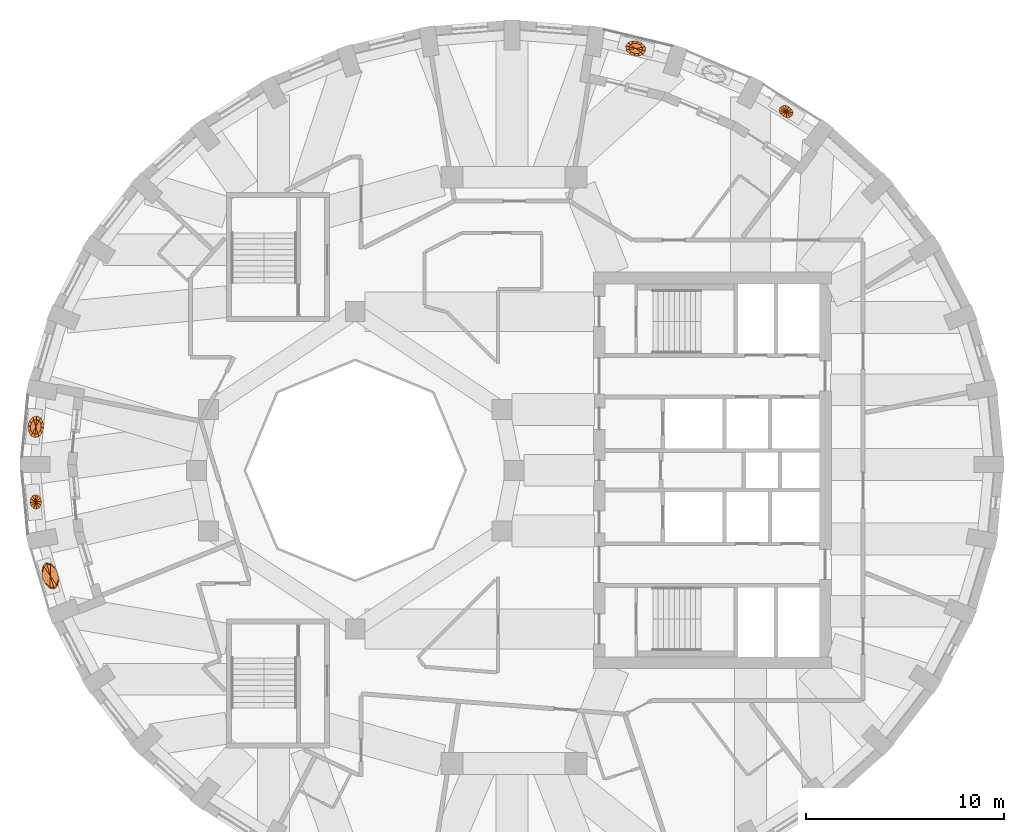
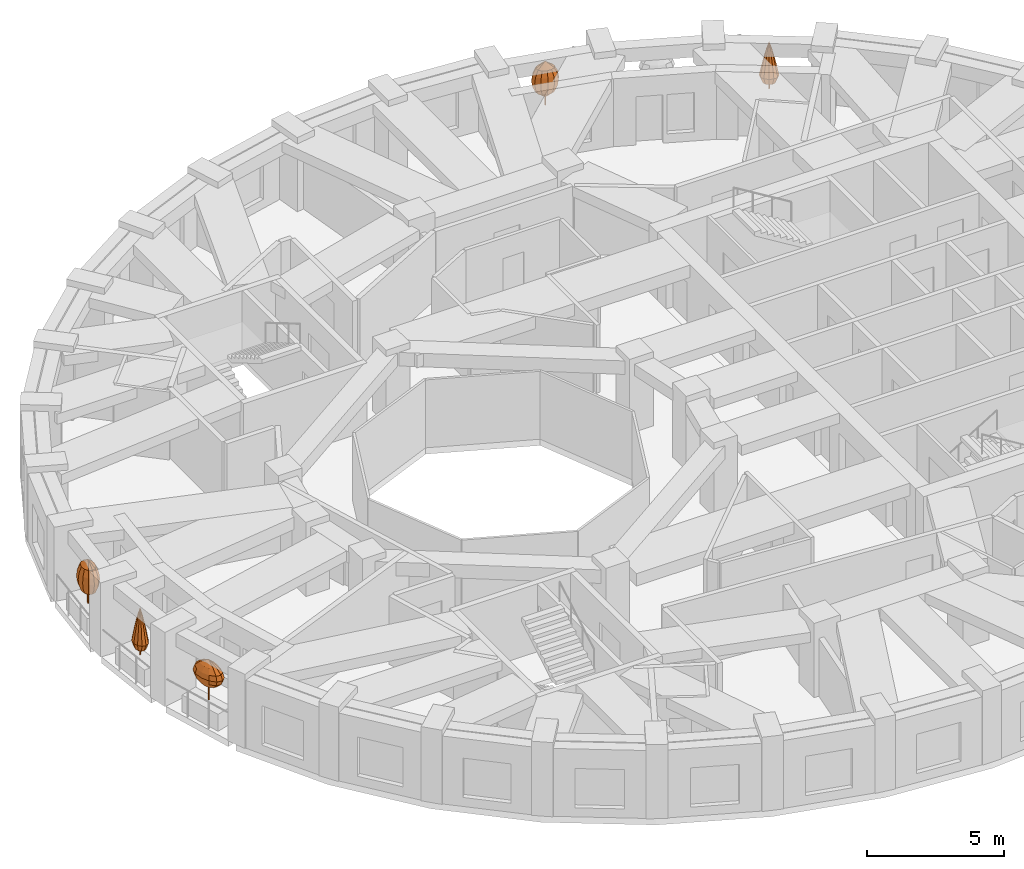
# One storey, part 11 of 12: 5 geographic elements.
"""IFC4 building model written with IfcOpenShell, lengths in metres."""

from ifc_helpers import new_model, si_unit, direction, frame, origin, place, context, subcontext, project, spatial, faceted_brep, material, constituent, constituent_set, type_object, element, save


model = new_model("IFC4")

# Units and contexts
model_context = context("Model", 3, precision=1e-05, world=origin(), true_north=direction((0.0, 1.0)))
body_context = subcontext(model_context, "Body", "Model", "MODEL_VIEW")
ifc_project = project(units=[si_unit("LENGTHUNIT", "METRE"), si_unit("AREAUNIT", "SQUARE_METRE"), si_unit("VOLUMEUNIT", "CUBIC_METRE"), si_unit("PLANEANGLEUNIT", "RADIAN"), si_unit("MASSUNIT", "GRAM", prefix="KILO")], contexts=[model_context])

# Site, building, storey
site_placement = place(None, origin())
site = spatial("IfcSite", under=ifc_project, at=site_placement, CompositionType="ELEMENT")
building_placement = place(site_placement, origin())
building = spatial("IfcBuilding", under=site, at=building_placement, Name="Taillehof Tower", CompositionType="ELEMENT")
storey_placement = place(building_placement, frame((0.0, 0.0, 236.60009765625)))
storey = spatial("IfcBuildingStorey", under=building, at=storey_placement, Name="L67", CompositionType="ELEMENT", Elevation=236.60009765625)

# Geographic elements
ifc_material_1 = material(Name="Tree bark", Category="timber")
ifc_constituent_1 = constituent(ifc_material_1, Name="Trunk", Category="timber")
ifc_material_2 = material(Name="Tree foliage")
ifc_constituent_2 = constituent(ifc_material_2, Name="Crown")
ifc_constituent_set_1 = constituent_set(constituents=[ifc_constituent_1, ifc_constituent_2], Name="Tree TR2 Fastigiate yew")
geographic_element_type_1 = type_object("IfcGeographicElementType", Name="Tree TR2 Fastigiate yew", PredefinedType="USERDEFINED", material=ifc_constituent_set_1)
geographic_element_1_placement = place(storey_placement, frame((-24.103271484375, 2.192626953125, 0.75)))
element("IfcGeographicElement", 1, at=geographic_element_1_placement, inside=storey, type_object=geographic_element_type_1, Name="Tree TR2 Fastigiate yew", ObjectType="TREE", PredefinedType="USERDEFINED", context=body_context, shape_type="Brep", body=[
    faceted_brep([(0.034912109375, 0.0, 0.0), (0.024658203125, 0.024658203125, 0.0), (0.024658203125, 0.024658203125, 0.909912109375), (0.034912109375, 0.0, 0.909912109375), (0.0, 0.034912109375, 0.0), (0.0, 0.034912109375, 0.909912109375), (-0.024658203125, 0.024658203125, 0.0), (-0.024658203125, 0.024658203125, 0.909912109375), (-0.034912109375, 0.0, 0.0), (-0.034912109375, 0.0, 0.909912109375), (-0.024658203125, -0.024658203125, 0.0), (-0.024658203125, -0.024658203125, 0.909912109375), (0.0, -0.034912109375, 0.0), (0.0, -0.034912109375, 0.909912109375), (0.024658203125, -0.024658203125, 0.0), (0.024658203125, -0.024658203125, 0.909912109375)], [[[0, 1, 2, 3]], [[1, 4, 5, 2]], [[4, 6, 7, 5]], [[6, 8, 9, 7]], [[8, 10, 11, 9]], [[10, 12, 13, 11]], [[12, 14, 15, 13]], [[14, 0, 3, 15]], [[14, 12, 10, 8, 6, 4, 1, 0]], [[3, 2, 5, 7, 9, 11, 13, 15]]]),
    faceted_brep([(0.0, 0.0, 0.35009765625), (0.1044921875, -0.3369140625, 0.61669921875), (-0.036376953125, -0.373779296875, 0.61669921875), (0.21728515625, -0.209716796875, 0.61669921875), (0.27197265625, -0.0263671875, 0.61669921875), (0.253662109375, 0.1640625, 0.61669921875), (0.16748046875, 0.310546875, 0.61669921875), (0.036376953125, 0.373779296875, 0.61669921875), (-0.1044921875, 0.3369140625, 0.61669921875), (-0.21728515625, 0.209716796875, 0.61669921875), (-0.27197265625, 0.0263671875, 0.61669921875), (-0.253662109375, -0.1640625, 0.61669921875), (-0.16748046875, -0.310546875, 0.61669921875), (0.141357421875, -0.455810546875, 0.88330078125), (-0.049072265625, -0.505859375, 0.88330078125), (0.2939453125, -0.283935546875, 0.88330078125), (0.367919921875, -0.03564453125, 0.88330078125), (0.343017578125, 0.221923828125, 0.88330078125), (0.2265625, 0.420166015625, 0.88330078125), (0.049072265625, 0.505859375, 0.88330078125), (-0.141357421875, 0.455810546875, 0.88330078125), (-0.2939453125, 0.283935546875, 0.88330078125), (-0.367919921875, 0.03564453125, 0.88330078125), (-0.343017578125, -0.221923828125, 0.88330078125), (-0.2265625, -0.420166015625, 0.88330078125), (0.153076171875, -0.493408203125, 1.14990234375), (-0.05322265625, -0.54736328125, 1.14990234375), (0.318115234375, -0.30712890625, 1.14990234375), (0.398193359375, -0.03857421875, 1.14990234375), (0.371337890625, 0.240234375, 1.14990234375), (0.2451171875, 0.454833984375, 1.14990234375), (0.05322265625, 0.54736328125, 1.14990234375), (-0.153076171875, 0.493408203125, 1.14990234375), (-0.318115234375, 0.30712890625, 1.14990234375), (-0.398193359375, 0.03857421875, 1.14990234375), (-0.371337890625, -0.240234375, 1.14990234375), (-0.2451171875, -0.454833984375, 1.14990234375), (0.141357421875, -0.455810546875, 1.416748046875), (-0.049072265625, -0.505859375, 1.416748046875), (0.2939453125, -0.283935546875, 1.416748046875), (0.367919921875, -0.03564453125, 1.416748046875), (0.343017578125, 0.221923828125, 1.416748046875), (0.2265625, 0.420166015625, 1.416748046875), (0.049072265625, 0.505859375, 1.416748046875), (-0.141357421875, 0.455810546875, 1.416748046875), (-0.2939453125, 0.283935546875, 1.416748046875), (-0.367919921875, 0.03564453125, 1.416748046875), (-0.343017578125, -0.221923828125, 1.416748046875), (-0.2265625, -0.420166015625, 1.416748046875), (0.1044921875, -0.3369140625, 1.683349609375), (-0.036376953125, -0.373779296875, 1.683349609375), (0.21728515625, -0.209716796875, 1.683349609375), (0.27197265625, -0.0263671875, 1.683349609375), (0.253662109375, 0.1640625, 1.683349609375), (0.16748046875, 0.310546875, 1.683349609375), (0.036376953125, 0.373779296875, 1.683349609375), (-0.1044921875, 0.3369140625, 1.683349609375), (-0.21728515625, 0.209716796875, 1.683349609375), (-0.27197265625, 0.0263671875, 1.683349609375), (-0.253662109375, -0.1640625, 1.683349609375), (-0.16748046875, -0.310546875, 1.683349609375), (0.0, 0.0, 1.949951171875)], [[[0, 1, 2]], [[0, 3, 1]], [[0, 4, 3]], [[0, 5, 4]], [[0, 6, 5]], [[0, 7, 6]], [[0, 8, 7]], [[0, 9, 8]], [[0, 10, 9]], [[0, 11, 10]], [[0, 12, 11]], [[0, 2, 12]], [[2, 1, 13, 14]], [[1, 3, 15, 13]], [[3, 4, 16, 15]], [[4, 5, 17, 16]], [[5, 6, 18, 17]], [[6, 7, 19, 18]], [[7, 8, 20, 19]], [[8, 9, 21, 20]], [[9, 10, 22, 21]], [[10, 11, 23, 22]], [[11, 12, 24, 23]], [[12, 2, 14, 24]], [[14, 13, 25, 26]], [[13, 15, 27, 25]], [[15, 16, 28, 27]], [[16, 17, 29, 28]], [[17, 18, 30, 29]], [[18, 19, 31, 30]], [[19, 20, 32, 31]], [[20, 21, 33, 32]], [[21, 22, 34, 33]], [[22, 23, 35, 34]], [[23, 24, 36, 35]], [[24, 14, 26, 36]], [[26, 25, 37, 38]], [[25, 27, 39, 37]], [[27, 28, 40, 39]], [[28, 29, 41, 40]], [[29, 30, 42, 41]], [[30, 31, 43, 42]], [[31, 32, 44, 43]], [[32, 33, 45, 44]], [[33, 34, 46, 45]], [[34, 35, 47, 46]], [[35, 36, 48, 47]], [[36, 26, 38, 48]], [[38, 37, 49, 50]], [[37, 39, 51, 49]], [[39, 40, 52, 51]], [[40, 41, 53, 52]], [[41, 42, 54, 53]], [[42, 43, 55, 54]], [[43, 44, 56, 55]], [[44, 45, 57, 56]], [[45, 46, 58, 57]], [[46, 47, 59, 58]], [[47, 48, 60, 59]], [[48, 38, 50, 60]], [[50, 49, 61]], [[49, 51, 61]], [[51, 52, 61]], [[52, 53, 61]], [[53, 54, 61]], [[54, 55, 61]], [[55, 56, 61]], [[56, 57, 61]], [[57, 58, 61]], [[58, 59, 61]], [[59, 60, 61]], [[60, 50, 61]]]),
])
geographic_element_2_placement = place(storey_placement, frame((6.1337890625, 21.266357421875, 0.75)))
element("IfcGeographicElement", 2, at=geographic_element_2_placement, inside=storey, type_object=geographic_element_type_1, Name="Tree TR2 Fastigiate yew", ObjectType="TREE", PredefinedType="USERDEFINED", context=body_context, shape_type="Brep", body=[
    faceted_brep([(0.034912109375, 0.0, 0.0), (0.024658203125, 0.024658203125, 0.0), (0.024658203125, 0.024658203125, 0.909912109375), (0.034912109375, 0.0, 0.909912109375), (0.0, 0.034912109375, 0.0), (0.0, 0.034912109375, 0.909912109375), (-0.024658203125, 0.024658203125, 0.0), (-0.024658203125, 0.024658203125, 0.909912109375), (-0.034912109375, 0.0, 0.0), (-0.034912109375, 0.0, 0.909912109375), (-0.024658203125, -0.024658203125, 0.0), (-0.024658203125, -0.024658203125, 0.909912109375), (0.0, -0.034912109375, 0.0), (0.0, -0.034912109375, 0.909912109375), (0.024658203125, -0.024658203125, 0.0), (0.024658203125, -0.024658203125, 0.909912109375)], [[[0, 1, 2, 3]], [[1, 4, 5, 2]], [[4, 6, 7, 5]], [[6, 8, 9, 7]], [[8, 10, 11, 9]], [[10, 12, 13, 11]], [[12, 14, 15, 13]], [[14, 0, 3, 15]], [[14, 12, 10, 8, 6, 4, 1, 0]], [[3, 2, 5, 7, 9, 11, 13, 15]]]),
    faceted_brep([(0.0, 0.0, 0.35009765625), (-0.330810546875, -0.0537109375, 0.61669921875), (-0.346923828125, 0.083740234375, 0.61669921875), (-0.22607421875, -0.1767578125, 0.61669921875), (-0.060791015625, -0.252197265625, 0.61669921875), (0.120849609375, -0.26025390625, 0.61669921875), (0.27001953125, -0.19873046875, 0.61669921875), (0.346923828125, -0.083740234375, 0.61669921875), (0.330810546875, 0.0537109375, 0.61669921875), (0.22607421875, 0.1767578125, 0.61669921875), (0.060791015625, 0.252197265625, 0.61669921875), (-0.120849609375, 0.26025390625, 0.61669921875), (-0.27001953125, 0.19873046875, 0.61669921875), (-0.447509765625, -0.072509765625, 0.88330078125), (-0.46923828125, 0.11328125, 0.88330078125), (-0.305908203125, -0.239013671875, 0.88330078125), (-0.082275390625, -0.34130859375, 0.88330078125), (0.163330078125, -0.352294921875, 0.88330078125), (0.365234375, -0.268798828125, 0.88330078125), (0.46923828125, -0.11328125, 0.88330078125), (0.447509765625, 0.072509765625, 0.88330078125), (0.305908203125, 0.239013671875, 0.88330078125), (0.082275390625, 0.34130859375, 0.88330078125), (-0.163330078125, 0.352294921875, 0.88330078125), (-0.365234375, 0.268798828125, 0.88330078125), (-0.484375, -0.07861328125, 1.14990234375), (-0.5078125, 0.12255859375, 1.14990234375), (-0.3310546875, -0.258544921875, 1.14990234375), (-0.089111328125, -0.369384765625, 1.14990234375), (0.1767578125, -0.381103515625, 1.14990234375), (0.395263671875, -0.290771484375, 1.14990234375), (0.5078125, -0.12255859375, 1.14990234375), (0.484375, 0.07861328125, 1.14990234375), (0.3310546875, 0.258544921875, 1.14990234375), (0.089111328125, 0.369384765625, 1.14990234375), (-0.1767578125, 0.381103515625, 1.14990234375), (-0.395263671875, 0.290771484375, 1.14990234375), (-0.447509765625, -0.072509765625, 1.416748046875), (-0.46923828125, 0.11328125, 1.416748046875), (-0.305908203125, -0.239013671875, 1.416748046875), (-0.082275390625, -0.34130859375, 1.416748046875), (0.163330078125, -0.352294921875, 1.416748046875), (0.365234375, -0.268798828125, 1.416748046875), (0.46923828125, -0.11328125, 1.416748046875), (0.447509765625, 0.072509765625, 1.416748046875), (0.305908203125, 0.239013671875, 1.416748046875), (0.082275390625, 0.34130859375, 1.416748046875), (-0.163330078125, 0.352294921875, 1.416748046875), (-0.365234375, 0.268798828125, 1.416748046875), (-0.330810546875, -0.0537109375, 1.683349609375), (-0.346923828125, 0.083740234375, 1.683349609375), (-0.22607421875, -0.1767578125, 1.683349609375), (-0.060791015625, -0.252197265625, 1.683349609375), (0.120849609375, -0.26025390625, 1.683349609375), (0.27001953125, -0.19873046875, 1.683349609375), (0.346923828125, -0.083740234375, 1.683349609375), (0.330810546875, 0.0537109375, 1.683349609375), (0.22607421875, 0.1767578125, 1.683349609375), (0.060791015625, 0.252197265625, 1.683349609375), (-0.120849609375, 0.26025390625, 1.683349609375), (-0.27001953125, 0.19873046875, 1.683349609375), (0.0, 0.0, 1.949951171875)], [[[0, 1, 2]], [[0, 3, 1]], [[0, 4, 3]], [[0, 5, 4]], [[0, 6, 5]], [[0, 7, 6]], [[0, 8, 7]], [[0, 9, 8]], [[0, 10, 9]], [[0, 11, 10]], [[0, 12, 11]], [[0, 2, 12]], [[2, 1, 13, 14]], [[1, 3, 15, 13]], [[3, 4, 16, 15]], [[4, 5, 17, 16]], [[5, 6, 18, 17]], [[6, 7, 19, 18]], [[7, 8, 20, 19]], [[8, 9, 21, 20]], [[9, 10, 22, 21]], [[10, 11, 23, 22]], [[11, 12, 24, 23]], [[12, 2, 14, 24]], [[14, 13, 25, 26]], [[13, 15, 27, 25]], [[15, 16, 28, 27]], [[16, 17, 29, 28]], [[17, 18, 30, 29]], [[18, 19, 31, 30]], [[19, 20, 32, 31]], [[20, 21, 33, 32]], [[21, 22, 34, 33]], [[22, 23, 35, 34]], [[23, 24, 36, 35]], [[24, 14, 26, 36]], [[26, 25, 37, 38]], [[25, 27, 39, 37]], [[27, 28, 40, 39]], [[28, 29, 41, 40]], [[29, 30, 42, 41]], [[30, 31, 43, 42]], [[31, 32, 44, 43]], [[32, 33, 45, 44]], [[33, 34, 46, 45]], [[34, 35, 47, 46]], [[35, 36, 48, 47]], [[36, 26, 38, 48]], [[38, 37, 49, 50]], [[37, 39, 51, 49]], [[39, 40, 52, 51]], [[40, 41, 53, 52]], [[41, 42, 54, 53]], [[42, 43, 55, 54]], [[43, 44, 56, 55]], [[44, 45, 57, 56]], [[45, 46, 58, 57]], [[46, 47, 59, 58]], [[47, 48, 60, 59]], [[48, 38, 50, 60]], [[50, 49, 61]], [[49, 51, 61]], [[51, 52, 61]], [[52, 53, 61]], [[53, 54, 61]], [[54, 55, 61]], [[55, 56, 61]], [[56, 57, 61]], [[57, 58, 61]], [[58, 59, 61]], [[59, 60, 61]], [[60, 50, 61]]]),
])
ifc_material_3 = material(Name="Tree bark", Category="timber")
ifc_constituent_3 = constituent(ifc_material_3, Name="Trunk", Category="timber")
ifc_material_4 = material(Name="Tree foliage")
ifc_constituent_4 = constituent(ifc_material_4, Name="Crown")
ifc_constituent_set_2 = constituent_set(constituents=[ifc_constituent_3, ifc_constituent_4], Name="Tree TR4 Sea buckthorn standard")
geographic_element_type_2 = type_object("IfcGeographicElementType", Name="Tree TR4 Sea buckthorn standard", PredefinedType="USERDEFINED", material=ifc_constituent_set_2)
geographic_element_3_placement = place(storey_placement, frame((-23.373291015625, -5.3203125, 0.75)))
element("IfcGeographicElement", 3, at=geographic_element_3_placement, inside=storey, type_object=geographic_element_type_2, Name="Tree TR4 Sea buckthorn standard", ObjectType="TREE", PredefinedType="USERDEFINED", context=body_context, shape_type="Brep", body=[
    faceted_brep([(0.030029296875, 0.0, 0.0), (0.021240234375, 0.021240234375, 0.0), (0.021240234375, 0.021240234375, 0.98095703125), (0.030029296875, 0.0, 0.98095703125), (0.0, 0.030029296875, 0.0), (0.0, 0.030029296875, 0.98095703125), (-0.021240234375, 0.021240234375, 0.0), (-0.021240234375, 0.021240234375, 0.98095703125), (-0.030029296875, 0.0, 0.0), (-0.030029296875, 0.0, 0.98095703125), (-0.021240234375, -0.021240234375, 0.0), (-0.021240234375, -0.021240234375, 0.98095703125), (0.0, -0.030029296875, 0.0), (0.0, -0.030029296875, 0.98095703125), (0.021240234375, -0.021240234375, 0.0), (0.021240234375, -0.021240234375, 0.98095703125)], [[[0, 1, 2, 3]], [[1, 4, 5, 2]], [[4, 6, 7, 5]], [[6, 8, 9, 7]], [[8, 10, 11, 9]], [[10, 12, 13, 11]], [[12, 14, 15, 13]], [[14, 0, 3, 15]], [[14, 12, 10, 8, 6, 4, 1, 0]], [[3, 2, 5, 7, 9, 11, 13, 15]]]),
    faceted_brep([(0.0, 0.0, 0.5400390625), (0.20947265625, -0.301025390625, 0.75), (0.11474609375, -0.38525390625, 0.75), (0.248046875, -0.135986328125, 0.75), (0.22021484375, 0.0654296875, 0.75), (0.13330078125, 0.24951171875, 0.75), (0.0107421875, 0.366455078125, 0.75), (-0.11474609375, 0.38525390625, 0.75), (-0.20947265625, 0.301025390625, 0.75), (-0.248046875, 0.135986328125, 0.75), (-0.22021484375, -0.0654296875, 0.75), (-0.13330078125, -0.24951171875, 0.75), (-0.0107421875, -0.366455078125, 0.75), (0.324951171875, -0.467041015625, 0.9599609375), (0.177978515625, -0.597900390625, 0.9599609375), (0.385009765625, -0.2109375, 0.9599609375), (0.341796875, 0.101806640625, 0.9599609375), (0.20703125, 0.386962890625, 0.9599609375), (0.016845703125, 0.568603515625, 0.9599609375), (-0.177978515625, 0.597900390625, 0.9599609375), (-0.324951171875, 0.467041015625, 0.9599609375), (-0.385009765625, 0.2109375, 0.9599609375), (-0.341796875, -0.101806640625, 0.9599609375), (-0.20703125, -0.386962890625, 0.9599609375), (-0.016845703125, -0.568603515625, 0.9599609375), (0.364501953125, -0.52392578125, 1.169921875), (0.19970703125, -0.6708984375, 1.169921875), (0.431884765625, -0.236572265625, 1.169921875), (0.38330078125, 0.114013671875, 1.169921875), (0.232177734375, 0.434326171875, 1.169921875), (0.018798828125, 0.63818359375, 1.169921875), (-0.19970703125, 0.6708984375, 1.169921875), (-0.364501953125, 0.52392578125, 1.169921875), (-0.431884765625, 0.236572265625, 1.169921875), (-0.38330078125, -0.114013671875, 1.169921875), (-0.232177734375, -0.434326171875, 1.169921875), (-0.018798828125, -0.63818359375, 1.169921875), (0.324951171875, -0.467041015625, 1.3798828125), (0.177978515625, -0.597900390625, 1.3798828125), (0.385009765625, -0.2109375, 1.3798828125), (0.341796875, 0.101806640625, 1.3798828125), (0.20703125, 0.386962890625, 1.3798828125), (0.016845703125, 0.568603515625, 1.3798828125), (-0.177978515625, 0.597900390625, 1.3798828125), (-0.324951171875, 0.467041015625, 1.3798828125), (-0.385009765625, 0.2109375, 1.3798828125), (-0.341796875, -0.101806640625, 1.3798828125), (-0.20703125, -0.386962890625, 1.3798828125), (-0.016845703125, -0.568603515625, 1.3798828125), (0.20947265625, -0.301025390625, 1.590087890625), (0.11474609375, -0.38525390625, 1.590087890625), (0.248046875, -0.135986328125, 1.590087890625), (0.22021484375, 0.0654296875, 1.590087890625), (0.13330078125, 0.24951171875, 1.590087890625), (0.0107421875, 0.366455078125, 1.590087890625), (-0.11474609375, 0.38525390625, 1.590087890625), (-0.20947265625, 0.301025390625, 1.590087890625), (-0.248046875, 0.135986328125, 1.590087890625), (-0.22021484375, -0.0654296875, 1.590087890625), (-0.13330078125, -0.24951171875, 1.590087890625), (-0.0107421875, -0.366455078125, 1.590087890625), (0.0, 0.0, 1.800048828125)], [[[0, 1, 2]], [[0, 3, 1]], [[0, 4, 3]], [[0, 5, 4]], [[0, 6, 5]], [[0, 7, 6]], [[0, 8, 7]], [[0, 9, 8]], [[0, 10, 9]], [[0, 11, 10]], [[0, 12, 11]], [[0, 2, 12]], [[2, 1, 13, 14]], [[1, 3, 15, 13]], [[3, 4, 16, 15]], [[4, 5, 17, 16]], [[5, 6, 18, 17]], [[6, 7, 19, 18]], [[7, 8, 20, 19]], [[8, 9, 21, 20]], [[9, 10, 22, 21]], [[10, 11, 23, 22]], [[11, 12, 24, 23]], [[12, 2, 14, 24]], [[14, 13, 25, 26]], [[13, 15, 27, 25]], [[15, 16, 28, 27]], [[16, 17, 29, 28]], [[17, 18, 30, 29]], [[18, 19, 31, 30]], [[19, 20, 32, 31]], [[20, 21, 33, 32]], [[21, 22, 34, 33]], [[22, 23, 35, 34]], [[23, 24, 36, 35]], [[24, 14, 26, 36]], [[26, 25, 37, 38]], [[25, 27, 39, 37]], [[27, 28, 40, 39]], [[28, 29, 41, 40]], [[29, 30, 42, 41]], [[30, 31, 43, 42]], [[31, 32, 44, 43]], [[32, 33, 45, 44]], [[33, 34, 46, 45]], [[34, 35, 47, 46]], [[35, 36, 48, 47]], [[36, 26, 38, 48]], [[38, 37, 49, 50]], [[37, 39, 51, 49]], [[39, 40, 52, 51]], [[40, 41, 53, 52]], [[41, 42, 54, 53]], [[42, 43, 55, 54]], [[43, 44, 56, 55]], [[44, 45, 57, 56]], [[45, 46, 58, 57]], [[46, 47, 59, 58]], [[47, 48, 60, 59]], [[48, 38, 50, 60]], [[50, 49, 61]], [[49, 51, 61]], [[51, 52, 61]], [[52, 53, 61]], [[53, 54, 61]], [[54, 55, 61]], [[55, 56, 61]], [[56, 57, 61]], [[57, 58, 61]], [[58, 59, 61]], [[59, 60, 61]], [[60, 50, 61]]]),
])
ifc_material_5 = material(Name="Tree bark", Category="timber")
ifc_constituent_5 = constituent(ifc_material_5, Name="Trunk", Category="timber")
ifc_material_6 = material(Name="Tree foliage")
ifc_constituent_6 = constituent(ifc_material_6, Name="Crown")
ifc_constituent_set_3 = constituent_set(constituents=[ifc_constituent_5, ifc_constituent_6], Name="Tree TR5 Columnar juniper")
geographic_element_type_3 = type_object("IfcGeographicElementType", Name="Tree TR5 Columnar juniper", PredefinedType="USERDEFINED", material=ifc_constituent_set_3)
geographic_element_4_placement = place(storey_placement, frame((-24.103271484375, -1.592529296875, 0.75)))
element("IfcGeographicElement", 4, at=geographic_element_4_placement, inside=storey, type_object=geographic_element_type_3, Name="Tree TR5 Columnar juniper", ObjectType="TREE", PredefinedType="USERDEFINED", context=body_context, shape_type="Brep", body=[
    faceted_brep([(0.02490234375, 0.0, 0.0), (0.017578125, 0.017578125, 0.0), (0.017578125, 0.017578125, 0.929931640625), (0.02490234375, 0.0, 0.929931640625), (0.0, 0.02490234375, 0.0), (0.0, 0.02490234375, 0.929931640625), (-0.017578125, 0.017578125, 0.0), (-0.017578125, 0.017578125, 0.929931640625), (-0.02490234375, 0.0, 0.0), (-0.02490234375, 0.0, 0.929931640625), (-0.017578125, -0.017578125, 0.0), (-0.017578125, -0.017578125, 0.929931640625), (0.0, -0.02490234375, 0.0), (0.0, -0.02490234375, 0.929931640625), (0.017578125, -0.017578125, 0.0), (0.017578125, -0.017578125, 0.929931640625)], [[[0, 1, 2, 3]], [[1, 4, 5, 2]], [[4, 6, 7, 5]], [[6, 8, 9, 7]], [[8, 10, 11, 9]], [[10, 12, 13, 11]], [[12, 14, 15, 13]], [[14, 0, 3, 15]], [[14, 12, 10, 8, 6, 4, 1, 0]], [[3, 2, 5, 7, 9, 11, 13, 15]]]),
    faceted_brep([(0.02392578125, -0.246337890625, 0.300048828125), (0.116455078125, -0.2041015625, 0.300048828125), (0.174072265625, -0.3046875, 0.60009765625), (0.03564453125, -0.36767578125, 0.60009765625), (0.177978515625, -0.10693359375, 0.300048828125), (0.265625, -0.159912109375, 0.60009765625), (0.191650390625, 0.0185546875, 0.300048828125), (0.2861328125, 0.02783203125, 0.60009765625), (0.154052734375, 0.139404296875, 0.300048828125), (0.229736328125, 0.2080078125, 0.60009765625), (0.074951171875, 0.22265625, 0.300048828125), (0.112060546875, 0.332275390625, 0.60009765625), (-0.02392578125, 0.246337890625, 0.300048828125), (-0.03564453125, 0.36767578125, 0.60009765625), (-0.116455078125, 0.2041015625, 0.300048828125), (-0.174072265625, 0.3046875, 0.60009765625), (-0.177978515625, 0.10693359375, 0.300048828125), (-0.265625, 0.159912109375, 0.60009765625), (-0.191650390625, -0.0185546875, 0.300048828125), (-0.2861328125, -0.02783203125, 0.60009765625), (-0.154052734375, -0.139404296875, 0.300048828125), (-0.229736328125, -0.2080078125, 0.60009765625), (-0.074951171875, -0.22265625, 0.300048828125), (-0.112060546875, -0.332275390625, 0.60009765625), (0.1455078125, -0.2548828125, 0.89990234375), (0.02978515625, -0.3076171875, 0.89990234375), (0.22216796875, -0.1337890625, 0.89990234375), (0.2392578125, 0.023193359375, 0.89990234375), (0.1923828125, 0.173828125, 0.89990234375), (0.09375, 0.278076171875, 0.89990234375), (-0.02978515625, 0.3076171875, 0.89990234375), (-0.1455078125, 0.2548828125, 0.89990234375), (-0.22216796875, 0.1337890625, 0.89990234375), (-0.2392578125, -0.023193359375, 0.89990234375), (-0.1923828125, -0.173828125, 0.89990234375), (-0.09375, -0.278076171875, 0.89990234375), (0.11572265625, -0.202392578125, 1.199951171875), (0.023681640625, -0.244384765625, 1.199951171875), (0.176513671875, -0.106201171875, 1.199951171875), (0.190185546875, 0.0185546875, 1.199951171875), (0.15283203125, 0.13818359375, 1.199951171875), (0.074462890625, 0.220947265625, 1.199951171875), (-0.023681640625, 0.244384765625, 1.199951171875), (-0.11572265625, 0.202392578125, 1.199951171875), (-0.176513671875, 0.106201171875, 1.199951171875), (-0.190185546875, -0.0185546875, 1.199951171875), (-0.15283203125, -0.13818359375, 1.199951171875), (-0.074462890625, -0.220947265625, 1.199951171875), (0.08349609375, -0.146240234375, 1.5), (0.01708984375, -0.1767578125, 1.5), (0.127685546875, -0.07666015625, 1.5), (0.137451171875, 0.013427734375, 1.5), (0.1103515625, 0.099853515625, 1.5), (0.053955078125, 0.15966796875, 1.5), (-0.01708984375, 0.1767578125, 1.5), (-0.08349609375, 0.146240234375, 1.5), (-0.127685546875, 0.07666015625, 1.5), (-0.137451171875, -0.013427734375, 1.5), (-0.1103515625, -0.099853515625, 1.5), (-0.053955078125, -0.15966796875, 1.5), (0.048095703125, -0.083984375, 1.800048828125), (0.009765625, -0.1015625, 1.800048828125), (0.0732421875, -0.044189453125, 1.800048828125), (0.078857421875, 0.007568359375, 1.800048828125), (0.0634765625, 0.057373046875, 1.800048828125), (0.031005859375, 0.091796875, 1.800048828125), (-0.009765625, 0.1015625, 1.800048828125), (-0.048095703125, 0.083984375, 1.800048828125), (-0.0732421875, 0.044189453125, 1.800048828125), (-0.078857421875, -0.007568359375, 1.800048828125), (-0.0634765625, -0.057373046875, 1.800048828125), (-0.031005859375, -0.091796875, 1.800048828125), (0.0, 0.0, 2.10009765625)], [[[0, 1, 2, 3]], [[1, 4, 5, 2]], [[4, 6, 7, 5]], [[6, 8, 9, 7]], [[8, 10, 11, 9]], [[10, 12, 13, 11]], [[12, 14, 15, 13]], [[14, 16, 17, 15]], [[16, 18, 19, 17]], [[18, 20, 21, 19]], [[20, 22, 23, 21]], [[22, 0, 3, 23]], [[3, 2, 24, 25]], [[2, 5, 26, 24]], [[5, 7, 27, 26]], [[7, 9, 28, 27]], [[9, 11, 29, 28]], [[11, 13, 30, 29]], [[13, 15, 31, 30]], [[15, 17, 32, 31]], [[17, 19, 33, 32]], [[19, 21, 34, 33]], [[21, 23, 35, 34]], [[23, 3, 25, 35]], [[25, 24, 36, 37]], [[24, 26, 38, 36]], [[26, 27, 39, 38]], [[27, 28, 40, 39]], [[28, 29, 41, 40]], [[29, 30, 42, 41]], [[30, 31, 43, 42]], [[31, 32, 44, 43]], [[32, 33, 45, 44]], [[33, 34, 46, 45]], [[34, 35, 47, 46]], [[35, 25, 37, 47]], [[37, 36, 48, 49]], [[36, 38, 50, 48]], [[38, 39, 51, 50]], [[39, 40, 52, 51]], [[40, 41, 53, 52]], [[41, 42, 54, 53]], [[42, 43, 55, 54]], [[43, 44, 56, 55]], [[44, 45, 57, 56]], [[45, 46, 58, 57]], [[46, 47, 59, 58]], [[47, 37, 49, 59]], [[49, 48, 60, 61]], [[48, 50, 62, 60]], [[50, 51, 63, 62]], [[51, 52, 64, 63]], [[52, 53, 65, 64]], [[53, 54, 66, 65]], [[54, 55, 67, 66]], [[55, 56, 68, 67]], [[56, 57, 69, 68]], [[57, 58, 70, 69]], [[58, 59, 71, 70]], [[59, 49, 61, 71]], [[61, 60, 72]], [[60, 62, 72]], [[62, 63, 72]], [[63, 64, 72]], [[64, 65, 72]], [[65, 66, 72]], [[66, 67, 72]], [[67, 68, 72]], [[68, 69, 72]], [[69, 70, 72]], [[70, 71, 72]], [[71, 61, 72]], [[22, 20, 18, 16, 14, 12, 10, 8, 6, 4, 1, 0]]]),
])
geographic_element_5_placement = place(storey_placement, frame((13.71630859375, 18.08251953125, 0.75)))
element("IfcGeographicElement", 5, at=geographic_element_5_placement, inside=storey, type_object=geographic_element_type_3, Name="Tree TR5 Columnar juniper", ObjectType="TREE", PredefinedType="USERDEFINED", context=body_context, shape_type="Brep", body=[
    faceted_brep([(0.02490234375, 0.0, 0.0), (0.017578125, 0.017578125, 0.0), (0.017578125, 0.017578125, 0.929931640625), (0.02490234375, 0.0, 0.929931640625), (0.0, 0.02490234375, 0.0), (0.0, 0.02490234375, 0.929931640625), (-0.017578125, 0.017578125, 0.0), (-0.017578125, 0.017578125, 0.929931640625), (-0.02490234375, 0.0, 0.0), (-0.02490234375, 0.0, 0.929931640625), (-0.017578125, -0.017578125, 0.0), (-0.017578125, -0.017578125, 0.929931640625), (0.0, -0.02490234375, 0.0), (0.0, -0.02490234375, 0.929931640625), (0.017578125, -0.017578125, 0.0), (0.017578125, -0.017578125, 0.929931640625)], [[[0, 1, 2, 3]], [[1, 4, 5, 2]], [[4, 6, 7, 5]], [[6, 8, 9, 7]], [[8, 10, 11, 9]], [[10, 12, 13, 11]], [[12, 14, 15, 13]], [[14, 0, 3, 15]], [[14, 12, 10, 8, 6, 4, 1, 0]], [[3, 2, 5, 7, 9, 11, 13, 15]]]),
    faceted_brep([(-0.20947265625, 0.132080078125, 0.300048828125), (-0.232666015625, 0.032958984375, 0.300048828125), (-0.347412109375, 0.049072265625, 0.60009765625), (-0.3125, 0.197021484375, 0.60009765625), (-0.193603515625, -0.074951171875, 0.300048828125), (-0.2890625, -0.112060546875, 0.60009765625), (-0.1025390625, -0.162841796875, 0.300048828125), (-0.1533203125, -0.2431640625, 0.60009765625), (0.015869140625, -0.20703125, 0.300048828125), (0.0234375, -0.30908203125, 0.60009765625), (0.1298828125, -0.19580078125, 0.300048828125), (0.194091796875, -0.292236328125, 0.60009765625), (0.20947265625, -0.132080078125, 0.300048828125), (0.3125, -0.197021484375, 0.60009765625), (0.232666015625, -0.032958984375, 0.300048828125), (0.347412109375, -0.049072265625, 0.60009765625), (0.193603515625, 0.074951171875, 0.300048828125), (0.2890625, 0.112060546875, 0.60009765625), (0.1025390625, 0.162841796875, 0.300048828125), (0.1533203125, 0.2431640625, 0.60009765625), (-0.015869140625, 0.20703125, 0.300048828125), (-0.0234375, 0.30908203125, 0.60009765625), (-0.1298828125, 0.19580078125, 0.300048828125), (-0.194091796875, 0.292236328125, 0.60009765625), (-0.29052734375, 0.041015625, 0.89990234375), (-0.261474609375, 0.164794921875, 0.89990234375), (-0.24169921875, -0.09375, 0.89990234375), (-0.128173828125, -0.203369140625, 0.89990234375), (0.019775390625, -0.258544921875, 0.89990234375), (0.162353515625, -0.244384765625, 0.89990234375), (0.261474609375, -0.164794921875, 0.89990234375), (0.29052734375, -0.041015625, 0.89990234375), (0.24169921875, 0.09375, 0.89990234375), (0.128173828125, 0.203369140625, 0.89990234375), (-0.019775390625, 0.258544921875, 0.89990234375), (-0.162353515625, 0.244384765625, 0.89990234375), (-0.230712890625, 0.03271484375, 1.199951171875), (-0.207763671875, 0.130859375, 1.199951171875), (-0.192138671875, -0.074462890625, 1.199951171875), (-0.101806640625, -0.16162109375, 1.199951171875), (0.015625, -0.205322265625, 1.199951171875), (0.12890625, -0.194091796875, 1.199951171875), (0.207763671875, -0.130859375, 1.199951171875), (0.230712890625, -0.03271484375, 1.199951171875), (0.192138671875, 0.074462890625, 1.199951171875), (0.101806640625, 0.16162109375, 1.199951171875), (-0.015625, 0.205322265625, 1.199951171875), (-0.12890625, 0.194091796875, 1.199951171875), (-0.166748046875, 0.023681640625, 1.5), (-0.150146484375, 0.0947265625, 1.5), (-0.138916015625, -0.0537109375, 1.5), (-0.07373046875, -0.11669921875, 1.5), (0.01123046875, -0.1484375, 1.5), (0.09326171875, -0.140380859375, 1.5), (0.150146484375, -0.0947265625, 1.5), (0.166748046875, -0.023681640625, 1.5), (0.138916015625, 0.0537109375, 1.5), (0.07373046875, 0.11669921875, 1.5), (-0.01123046875, 0.1484375, 1.5), (-0.09326171875, 0.140380859375, 1.5), (-0.095947265625, 0.013427734375, 1.800048828125), (-0.086181640625, 0.054443359375, 1.800048828125), (-0.079833984375, -0.031005859375, 1.800048828125), (-0.042236328125, -0.067138671875, 1.800048828125), (0.006591796875, -0.085205078125, 1.800048828125), (0.053466796875, -0.08056640625, 1.800048828125), (0.086181640625, -0.054443359375, 1.800048828125), (0.095947265625, -0.013427734375, 1.800048828125), (0.079833984375, 0.031005859375, 1.800048828125), (0.042236328125, 0.067138671875, 1.800048828125), (-0.006591796875, 0.085205078125, 1.800048828125), (-0.053466796875, 0.08056640625, 1.800048828125), (0.0, 0.0, 2.10009765625)], [[[0, 1, 2, 3]], [[1, 4, 5, 2]], [[4, 6, 7, 5]], [[6, 8, 9, 7]], [[8, 10, 11, 9]], [[10, 12, 13, 11]], [[12, 14, 15, 13]], [[14, 16, 17, 15]], [[16, 18, 19, 17]], [[18, 20, 21, 19]], [[20, 22, 23, 21]], [[22, 0, 3, 23]], [[3, 2, 24, 25]], [[2, 5, 26, 24]], [[5, 7, 27, 26]], [[7, 9, 28, 27]], [[9, 11, 29, 28]], [[11, 13, 30, 29]], [[13, 15, 31, 30]], [[15, 17, 32, 31]], [[17, 19, 33, 32]], [[19, 21, 34, 33]], [[21, 23, 35, 34]], [[23, 3, 25, 35]], [[25, 24, 36, 37]], [[24, 26, 38, 36]], [[26, 27, 39, 38]], [[27, 28, 40, 39]], [[28, 29, 41, 40]], [[29, 30, 42, 41]], [[30, 31, 43, 42]], [[31, 32, 44, 43]], [[32, 33, 45, 44]], [[33, 34, 46, 45]], [[34, 35, 47, 46]], [[35, 25, 37, 47]], [[37, 36, 48, 49]], [[36, 38, 50, 48]], [[38, 39, 51, 50]], [[39, 40, 52, 51]], [[40, 41, 53, 52]], [[41, 42, 54, 53]], [[42, 43, 55, 54]], [[43, 44, 56, 55]], [[44, 45, 57, 56]], [[45, 46, 58, 57]], [[46, 47, 59, 58]], [[47, 37, 49, 59]], [[49, 48, 60, 61]], [[48, 50, 62, 60]], [[50, 51, 63, 62]], [[51, 52, 64, 63]], [[52, 53, 65, 64]], [[53, 54, 66, 65]], [[54, 55, 67, 66]], [[55, 56, 68, 67]], [[56, 57, 69, 68]], [[57, 58, 70, 69]], [[58, 59, 71, 70]], [[59, 49, 61, 71]], [[61, 60, 72]], [[60, 62, 72]], [[62, 63, 72]], [[63, 64, 72]], [[64, 65, 72]], [[65, 66, 72]], [[66, 67, 72]], [[67, 68, 72]], [[68, 69, 72]], [[69, 70, 72]], [[70, 71, 72]], [[71, 61, 72]], [[22, 20, 18, 16, 14, 12, 10, 8, 6, 4, 1, 0]]]),
])

save(model, "model.ifc")
